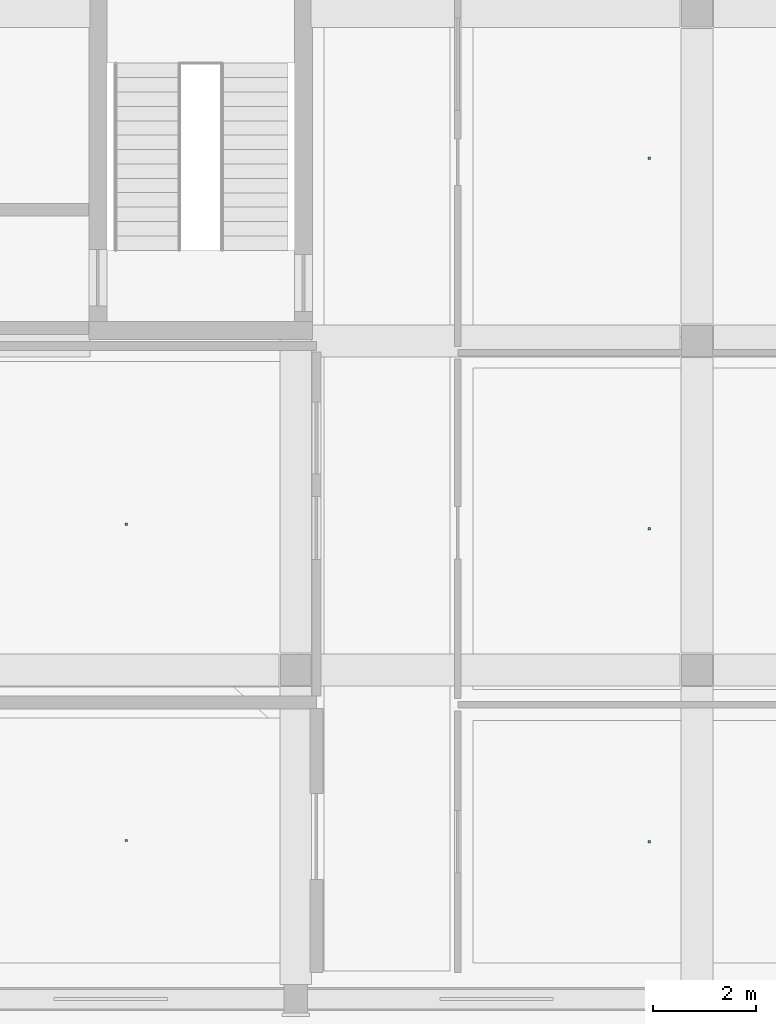
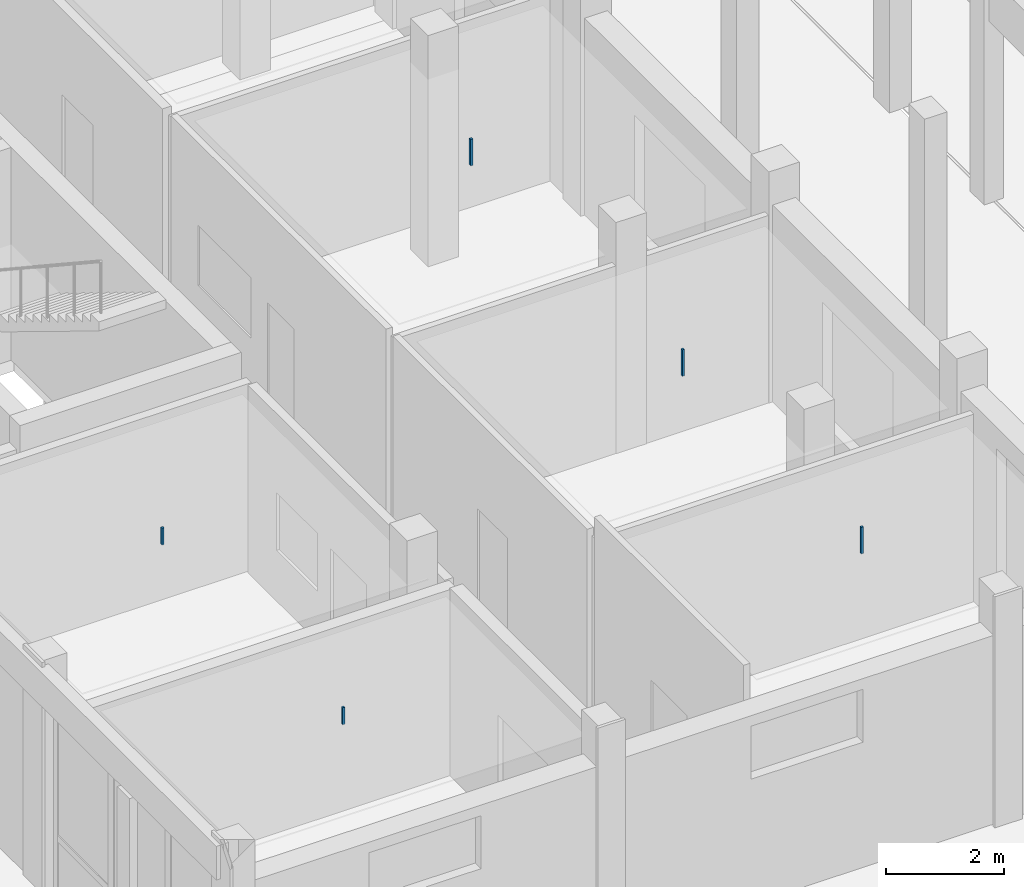
# One storey, part 58 of 88: 5 discrete accessories.
"""IFC4 building model written with IfcOpenShell, lengths in metres."""

from ifc_helpers import new_model, si_unit, derived_unit, direction, frame, origin, origin_2d, place, context, subcontext, project, spatial, rectangle, extrude, material, type_object, element, save


model = new_model("IFC4")

# Units and contexts
model_context = context("Model", 3, precision=1e-05, world=origin(), true_north=direction((0.0, 1.0)))
body_context = subcontext(model_context, "Body", "Model", "MODEL_VIEW")
ifc_project = project(units=[si_unit("LENGTHUNIT", "METRE"), si_unit("AREAUNIT", "SQUARE_METRE"), si_unit("VOLUMEUNIT", "CUBIC_METRE"), si_unit("PLANEANGLEUNIT", "RADIAN"), si_unit("MASSUNIT", "GRAM", prefix="KILO"), derived_unit("THERMALTRANSMITTANCEUNIT", [(si_unit("POWERUNIT", "WATT"), 1), (si_unit("LENGTHUNIT", "METRE"), -2), (si_unit("THERMODYNAMICTEMPERATUREUNIT", "KELVIN"), -1)])], contexts=[model_context])

# Site, building, storey
site_placement = place(None, origin())
site = spatial("IfcSite", under=ifc_project, at=site_placement, CompositionType="ELEMENT")
building_placement = place(site_placement, origin())
building = spatial("IfcBuilding", under=site, at=building_placement, Name="Braskholm Square Health Centre", CompositionType="ELEMENT")
storey_placement = place(building_placement, origin())
storey = spatial("IfcBuildingStorey", under=building, at=storey_placement, Name="L01", CompositionType="ELEMENT", Elevation=0.0)

# Discrete accessories
ifc_material = material(Name="Steel ASTM A500 Grade C", Category="steel")
discrete_accessory_type = type_object("IfcDiscreteAccessoryType", Name="CeilingSuspensionBracket", PredefinedType="BRACKET", material=ifc_material)
for number, where, z_axis, x_axis, name in (
    (1, (8.10205078125, 7.284912109375, 3.8818359375), (0.0, 0.0, 1.0), (1.0, 0.0, 0.0), "Ceiling hanger bracket 0006"),
    (2, (8.10205078125, 13.43505859375, 3.8818359375), (0.0, 0.0, 1.0), (1.0, 0.0, 0.0), "Ceiling hanger bracket 0007"),
):
    element("IfcDiscreteAccessory", number, at=place(storey_placement, frame(where, z_axis=z_axis, x_axis=x_axis)), inside=storey, type_object=discrete_accessory_type, Name=name, PredefinedType="BRACKET", context=body_context, shape_type="SweptSolid", body=[
        extrude(rectangle(XDim=0.044921875, YDim=0.044921875, at=origin_2d()), origin(), (0.0, 0.0, 1.0), 0.35009765625),
    ])
for number, where, z_axis, x_axis, name in (
    (3, (18.27294921875, 7.260009765625, 3.8818359375), (0.0, 0.0, 1.0), (1.0, 0.0, 0.0), "Ceiling hanger bracket 0017"),
    (4, (18.27294921875, 13.344970703125, 3.8818359375), (0.0, 0.0, 1.0), (1.0, 0.0, 0.0), "Ceiling hanger bracket 0018"),
    (5, (18.27294921875, 20.550048828125, 3.8818359375), (0.0, 0.0, 1.0), (1.0, 0.0, 0.0), "Ceiling hanger bracket 0019"),
):
    element("IfcDiscreteAccessory", number, at=place(storey_placement, frame(where, z_axis=z_axis, x_axis=x_axis)), inside=storey, type_object=discrete_accessory_type, Name=name, PredefinedType="BRACKET", context=body_context, shape_type="SweptSolid", body=[
        extrude(rectangle(XDim=0.044921875, YDim=0.044921875, at=origin_2d()), origin(), (0.0, 0.0, 1.0), 0.550048828125),
    ])

save(model, "model.ifc")
